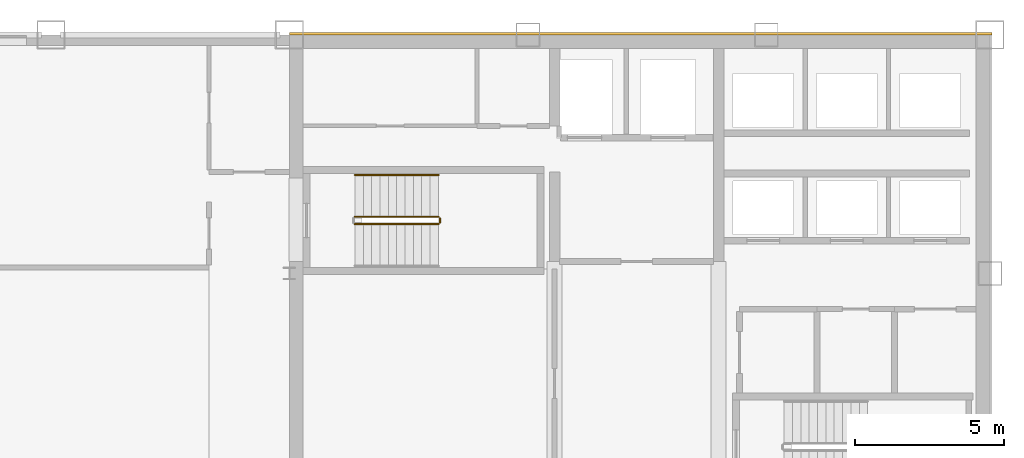
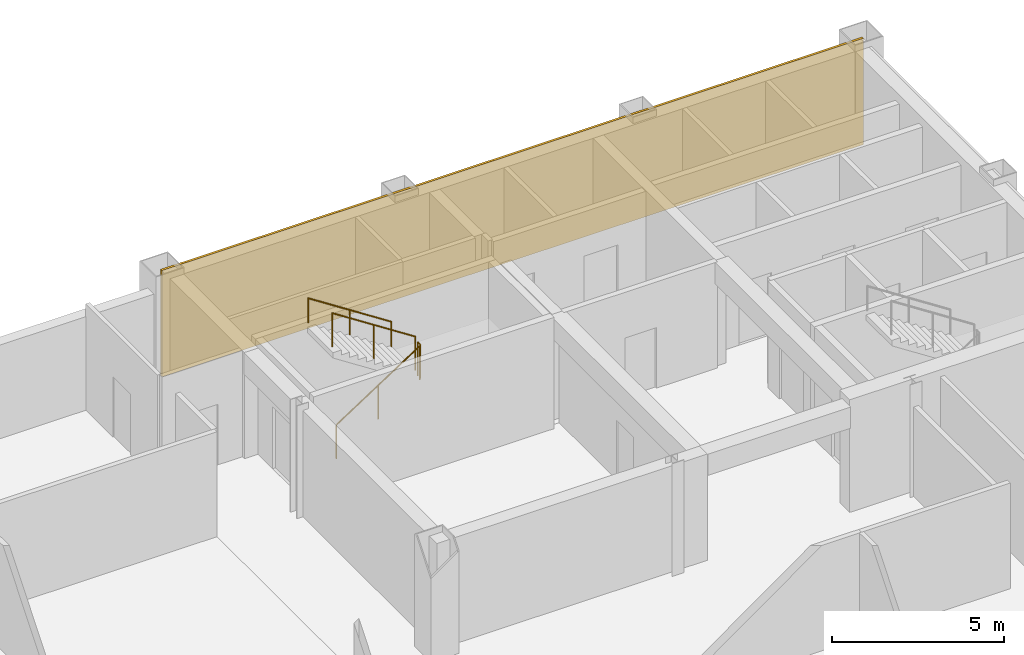
# One storey, part 10 of 10: 4 railings, 1 covering.
"""IFC4 building model written with IfcOpenShell, lengths in metres."""

from ifc_helpers import new_model, si_unit, direction, frame, origin, origin_2d, place, context, subcontext, project, spatial, rectangle, circle, extrude, material, layer, layer_set, type_object, element, save


model = new_model("IFC4")

# Units and contexts
model_context = context("Model", 3, precision=1e-05, world=origin(), true_north=direction((0.0, 1.0)))
body_context = subcontext(model_context, "Body", "Model", "MODEL_VIEW")
ifc_project = project(units=[si_unit("LENGTHUNIT", "METRE"), si_unit("AREAUNIT", "SQUARE_METRE"), si_unit("VOLUMEUNIT", "CUBIC_METRE"), si_unit("PLANEANGLEUNIT", "RADIAN"), si_unit("MASSUNIT", "GRAM", prefix="KILO")], contexts=[model_context])

# Site, building, storey
site_placement = place(None, origin())
site = spatial("IfcSite", under=ifc_project, at=site_placement, CompositionType="ELEMENT")
building_placement = place(site_placement, origin())
building = spatial("IfcBuilding", under=site, at=building_placement, Name="Qianrong Seaharbour Tower", CompositionType="ELEMENT")
storey_placement = place(building_placement, frame((0.0, 0.0, 241.800048828125)))
storey = spatial("IfcBuildingStorey", under=building, at=storey_placement, Name="L58", CompositionType="ELEMENT", Elevation=241.800048828125)

# Covering
ifc_material_1 = material(Name="Unitised red brick cladding on Precast concrete C45/55", Category="masonry")
ifc_layer = layer(ifc_material_1, 0.080078125)
ifc_layer_set = layer_set([ifc_layer], Name="Unitised red brick cladding on Precast concrete C45/55")
covering_type = type_object("IfcCoveringType", Name="COV-CLAD-RED-BRICK-80", PredefinedType="CLADDING", material=ifc_layer_set)
covering_placement = place(storey_placement, frame((52.2900390625, 52.0400390625, 0.0), z_axis=(0.0, 0.0, 1.0), x_axis=(1.0, 0.0, 0.0)))
element("IfcCovering", 1, at=covering_placement, inside=storey, type_object=covering_type, Name="L58 North Core Brick Veneer Cladding", PredefinedType="CLADDING", context=body_context, shape_type="SweptSolid", body=[
    extrude(rectangle(XDim=23.580078125, YDim=0.080078125, at=origin_2d()), origin(), (0.0, 0.0, 1.0), 3.77490234375),
])

# Railings
ifc_material_2 = material(Name="Galvanized painted steel SN400B stair guard", Category="steel")
railing_type_1 = type_object("IfcRailingType", Name="RAIL-STAIR-GUARD-1220", PredefinedType="GUARDRAIL", material=ifc_material_2)
railing_1_placement = place(storey_placement, frame((42.699951171875, 45.64990234375, 0.181884765625)))
element("IfcRailing", 2, at=railing_1_placement, inside=storey, type_object=railing_type_1, Name="L58 ST-1 stair guard 1", PredefinedType="GUARDRAIL", context=body_context, shape_type="SweptSolid", body=[
    extrude(circle(Radius=0.02392578125, at=origin_2d()), frame((0.0, 0.0, 1.19580078125), z_axis=(0.838705829183, 0.0, 0.544584733623), x_axis=(0.0, 1.0, 0.0)), (0.0, 0.0, 1.0), 3.338623046875),
    extrude(circle(Radius=0.02099609375, at=origin_2d()), origin(), (0.0, 0.0, 1.0), 1.171875),
    extrude(circle(Radius=0.02099609375, at=origin_2d()), frame((1.39990234375, 0.0, 0.9091796875)), (0.0, 0.0, 1.0), 1.171875),
    extrude(circle(Radius=0.02099609375, at=origin_2d()), frame((2.800048828125, 0.0, 1.818115234375)), (0.0, 0.0, 1.0), 1.171875),
])
railing_2_placement = place(storey_placement, frame((45.550048828125, 45.699951171875, 2.0)))
element("IfcRailing", 3, at=railing_2_placement, inside=storey, type_object=railing_type_1, Name="L58 ST-1 stair guard 2", PredefinedType="GUARDRAIL", context=body_context, shape_type="SweptSolid", body=[
    extrude(circle(Radius=0.02392578125, at=origin_2d()), frame((0.0, 0.0, 1.19580078125), z_axis=(0.0, 1.0, 0.0), x_axis=(-1.0, 0.0, 0.0)), (0.0, 0.0, 1.0), 0.150146484375),
    extrude(circle(Radius=0.02099609375, at=origin_2d()), origin(), (0.0, 0.0, 1.0), 1.171875),
    extrude(circle(Radius=0.02099609375, at=origin_2d()), frame((0.0, 0.150146484375, 0.0)), (0.0, 0.0, 1.0), 1.171875),
])
railing_3_placement = place(storey_placement, frame((45.5, 45.89990234375, 2.181884765625)))
element("IfcRailing", 4, at=railing_3_placement, inside=storey, type_object=railing_type_1, Name="L58 ST-1 stair guard 3", PredefinedType="GUARDRAIL", context=body_context, shape_type="SweptSolid", body=[
    extrude(circle(Radius=0.02392578125, at=origin_2d()), frame((0.0, 0.0, 1.19580078125), z_axis=(-0.838705829183, 0.0, 0.544584733623), x_axis=(0.0, -1.0, 0.0)), (0.0, 0.0, 1.0), 3.338623046875),
    extrude(circle(Radius=0.02099609375, at=origin_2d()), origin(), (0.0, 0.0, 1.0), 1.171875),
    extrude(circle(Radius=0.02099609375, at=origin_2d()), frame((-1.39990234375, 0.0, 0.9091796875)), (0.0, 0.0, 1.0), 1.171875),
    extrude(circle(Radius=0.02099609375, at=origin_2d()), frame((-2.800048828125, 0.0, 1.818115234375)), (0.0, 0.0, 1.0), 1.171875),
])
ifc_material_3 = material(Name="Stainless steel SUS316L continuous handrail", Category="steel")
railing_type_2 = type_object("IfcRailingType", Name="RAIL-STAIR-HANDRAIL-900", PredefinedType="HANDRAIL", material=ifc_material_3)
railing_4_placement = place(storey_placement, frame((45.5, 47.300048828125, 2.181884765625)))
element("IfcRailing", 5, at=railing_4_placement, inside=storey, type_object=railing_type_2, Name="L58 ST-1 stair handrail 2", PredefinedType="HANDRAIL", context=body_context, shape_type="SweptSolid", body=[
    extrude(circle(Radius=0.02392578125, at=origin_2d()), frame((0.0, 0.0, 0.8759765625), z_axis=(-0.838705829183, 0.0, 0.544584733623), x_axis=(0.0, -1.0, 0.0)), (0.0, 0.0, 1.0), 3.338623046875),
    extrude(circle(Radius=0.02099609375, at=origin_2d()), origin(), (0.0, 0.0, 1.0), 0.851806640625),
    extrude(circle(Radius=0.02099609375, at=origin_2d()), frame((-1.39990234375, 0.0, 0.9091796875)), (0.0, 0.0, 1.0), 0.851806640625),
    extrude(circle(Radius=0.02099609375, at=origin_2d()), frame((-2.800048828125, 0.0, 1.818115234375)), (0.0, 0.0, 1.0), 0.851806640625),
])

save(model, "model.ifc")
